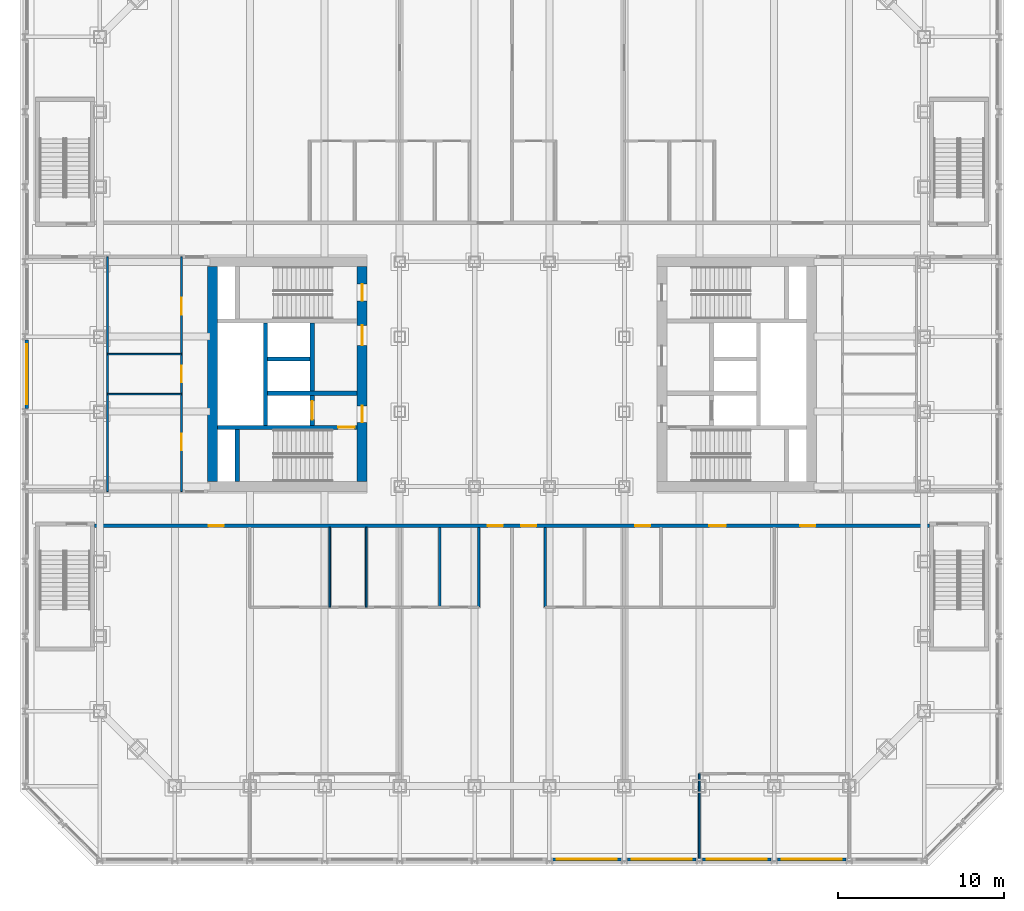
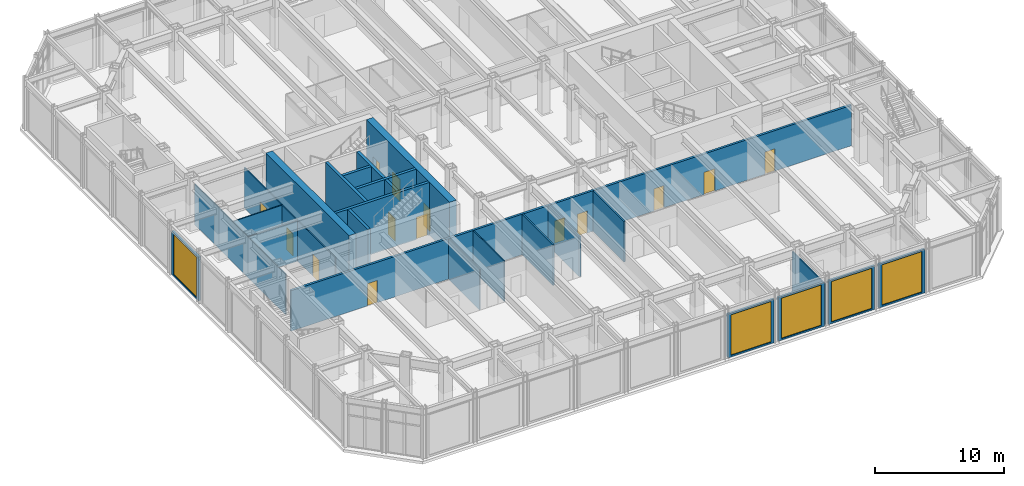
# One storey, part 11 of 19: 24 walls, 14 doors, 5 windows, 19 openings.
"""IFC4 building model written with IfcOpenShell, lengths in metres."""

from ifc_helpers import new_model, si_unit, direction, frame, frame_2d, origin, place, context, subcontext, project, spatial, rectangle, extrude, material, layer, layer_set, type_object, element, fill, save


model = new_model("IFC4")

# Units and contexts
model_context = context("Model", 3, precision=1e-05, world=origin(), true_north=direction((0.0, 1.0)))
body_context = subcontext(model_context, "Body", "Model", "MODEL_VIEW")
ifc_project = project(units=[si_unit("LENGTHUNIT", "METRE"), si_unit("AREAUNIT", "SQUARE_METRE"), si_unit("VOLUMEUNIT", "CUBIC_METRE"), si_unit("PLANEANGLEUNIT", "RADIAN"), si_unit("MASSUNIT", "GRAM", prefix="KILO")], contexts=[model_context])

# Site, building, storey
site_placement = place(None, origin())
site = spatial("IfcSite", under=ifc_project, at=site_placement, CompositionType="ELEMENT")
building_placement = place(site_placement, origin())
building = spatial("IfcBuilding", under=site, at=building_placement, Name="Msasa Ring Tower", CompositionType="ELEMENT")
storey_placement = place(building_placement, frame((0.0, 0.0, 11.0)))
storey = spatial("IfcBuildingStorey", under=building, at=storey_placement, Name="L02", CompositionType="ELEMENT", Elevation=11.0)

# Wall, openings, doors
ifc_material_1 = material(Name="Concrete C60/75", Category="concrete")
ifc_layer_1 = layer(ifc_material_1, 0.60009765625)
ifc_layer_set_1 = layer_set([ifc_layer_1], Name="CW1 CORE WALL 600")
wall_type_1 = type_object("IfcWallType", Name="CW1 CORE WALL 600", PredefinedType="SHEAR", material=ifc_layer_set_1)
wall_1_placement = place(storey_placement, frame((-9.0, -6.449951171875, 0.0), z_axis=(0.0, 0.0, 1.0), x_axis=(0.0, 1.0, 0.0)))
wall_1 = element("IfcWall", 1, at=wall_1_placement, inside=storey, type_object=wall_type_1, Name="W core wall W L02", PredefinedType="SHEAR", context=body_context, shape_type="SweptSolid", body=[
    extrude(rectangle(XDim=12.89990234375, YDim=0.60009765625, at=frame_2d((6.449951171875, 0.0))), origin(), (0.0, 0.0, 1.0), 5.0),
])
opening_1_placement = place(wall_1_placement, frame((3.550048828125, 0.0, 0.0)))
opening_1 = element("IfcOpeningElement", 2, at=opening_1_placement, cuts=wall_1, Name="Opening L02-030", PredefinedType="OPENING", context=body_context, shape_type="SweptSolid", body=[
    extrude(rectangle(XDim=1.0, YDim=2.10009765625, at=frame_2d((0.5, 1.050048828125))), frame((0.0, 0.31005859375, 0.0), z_axis=(0.0, -1.0, 0.0), x_axis=(1.0, 0.0, 0.0)), (0.0, 0.0, 1.0), 0.6201171875),
])
opening_2_placement = place(wall_1_placement, frame((8.175048828125, 0.0, 0.0)))
opening_2 = element("IfcOpeningElement", 3, at=opening_2_placement, cuts=wall_1, Name="Opening L02-026", PredefinedType="OPENING", context=body_context, shape_type="SweptSolid", body=[
    extrude(rectangle(XDim=1.199951171875, YDim=2.10009765625, at=frame_2d((0.60009765625, 1.050048828125))), frame((0.0, 0.31005859375, 0.0), z_axis=(0.0, -1.0, 0.0), x_axis=(1.0, 0.0, 0.0)), (0.0, 0.0, 1.0), 0.6201171875),
])
opening_3_placement = place(wall_1_placement, frame((10.85009765625, 0.0, 0.0)))
opening_3 = element("IfcOpeningElement", 4, at=opening_3_placement, cuts=wall_1, Name="Opening L02-022", PredefinedType="OPENING", context=body_context, shape_type="SweptSolid", body=[
    extrude(rectangle(XDim=1.0, YDim=2.10009765625, at=frame_2d((0.5, 1.050048828125))), frame((0.0, 0.31005859375, 0.0), z_axis=(0.0, -1.0, 0.0), x_axis=(1.0, 0.0, 0.0)), (0.0, 0.0, 1.0), 0.6201171875),
])
ifc_material_2 = material(Name="Timber door leaf in a steel frame", Category="steel")
door_type_1 = type_object("IfcDoorType", Name="D26 WIDE SERVICE ROOM DOOR 1200x2100", OperationType="SINGLE_SWING_LEFT", PredefinedType="DOOR", material=ifc_material_2)
door_1_placement = place(opening_2_placement, origin())
door_1 = element("IfcDoor", 5, at=door_1_placement, inside=storey, type_object=door_type_1, Name="Door L02-WCR", OperationType="SINGLE_SWING_RIGHT", OverallHeight=2.10009765625, OverallWidth=1.199951171875, PredefinedType="DOOR", context=body_context, shape_type="SweptSolid", body=[
    extrude(rectangle(XDim=1.199951171875, YDim=2.10009765625, at=frame_2d((0.60009765625, 1.050048828125))), frame((0.0, 0.02490234375, 0.0), z_axis=(0.0, -1.0, 0.0), x_axis=(1.0, 0.0, 0.0)), (0.0, 0.0, 1.0), 0.050048828125),
])
fill(opening_2, door_1)
ifc_material_3 = material(Name="Timber door leaf in a steel frame", Category="steel")
door_type_2 = type_object("IfcDoorType", Name="D4 LOBBY DOOR 1000x2100", OperationType="SINGLE_SWING_LEFT", PredefinedType="DOOR", material=ifc_material_3)
door_2_placement = place(opening_1_placement, origin())
door_2 = element("IfcDoor", 6, at=door_2_placement, inside=storey, type_object=door_type_2, Name="Door L02-WFFL", OperationType="SINGLE_SWING_LEFT", OverallHeight=2.10009765625, OverallWidth=1.0, PredefinedType="DOOR", context=body_context, shape_type="SweptSolid", body=[
    extrude(rectangle(XDim=1.0, YDim=2.10009765625, at=frame_2d((0.5, 1.050048828125))), frame((0.0, 0.02490234375, 0.0), z_axis=(0.0, -1.0, 0.0), x_axis=(1.0, 0.0, 0.0)), (0.0, 0.0, 1.0), 0.050048828125),
])
fill(opening_1, door_2)
ifc_material_4 = material(Name="Timber door leaf in a steel frame", Category="steel")
door_type_3 = type_object("IfcDoorType", Name="D6 STAIR DOOR 1000x2100", OperationType="SINGLE_SWING_LEFT", PredefinedType="DOOR", material=ifc_material_4)
door_3_placement = place(opening_3_placement, origin())
door_3 = element("IfcDoor", 7, at=door_3_placement, inside=storey, type_object=door_type_3, Name="Door L02-WSTB", OperationType="SINGLE_SWING_RIGHT", OverallHeight=2.10009765625, OverallWidth=1.0, PredefinedType="DOOR", context=body_context, shape_type="SweptSolid", body=[
    extrude(rectangle(XDim=1.0, YDim=2.10009765625, at=frame_2d((0.5, 1.050048828125))), frame((0.0, 0.02490234375, 0.0), z_axis=(0.0, -1.0, 0.0), x_axis=(1.0, 0.0, 0.0)), (0.0, 0.0, 1.0), 0.050048828125),
])
fill(opening_3, door_3)

# Wall
wall_2_placement = place(storey_placement, frame((-18.0, -6.449951171875, 0.0), z_axis=(0.0, 0.0, 1.0), x_axis=(0.0, 1.0, 0.0)))
element("IfcWall", 8, at=wall_2_placement, inside=storey, type_object=wall_type_1, Name="W core wall E L02", PredefinedType="SHEAR", context=body_context, shape_type="SweptSolid", body=[
    extrude(rectangle(XDim=12.89990234375, YDim=0.60009765625, at=frame_2d((6.449951171875, 0.0))), origin(), (0.0, 0.0, 1.0), 5.0),
])

# Wall, opening, door
ifc_material_5 = material(Name="Concrete C60/75", Category="concrete")
ifc_layer_2 = layer(ifc_material_5, 0.25)
ifc_layer_set_2 = layer_set([ifc_layer_2], Name="CW4 CORE INNER WALL 250")
wall_type_2 = type_object("IfcWallType", Name="CW4 CORE INNER WALL 250", PredefinedType="SHEAR", material=ifc_layer_set_2)
wall_3_placement = place(storey_placement, frame((-9.300048828125, -3.199951171875, 0.0), z_axis=(0.0, 0.0, 1.0), x_axis=(-1.0, 0.0, 0.0)))
wall_3 = element("IfcWall", 9, at=wall_3_placement, inside=storey, type_object=wall_type_2, Name="W core wall STAIRA L02", PredefinedType="SHEAR", context=body_context, shape_type="SweptSolid", body=[
    extrude(rectangle(XDim=8.39990234375, YDim=0.25, at=frame_2d((4.199951171875, 0.0))), origin(), (0.0, 0.0, 1.0), 5.0),
])
opening_4_placement = place(wall_3_placement, frame((0.14990234375, 0.0, 0.0)))
opening_4 = element("IfcOpeningElement", 10, at=opening_4_placement, cuts=wall_3, Name="Opening L02-032", PredefinedType="OPENING", context=body_context, shape_type="SweptSolid", body=[
    extrude(rectangle(XDim=1.0, YDim=2.10009765625, at=frame_2d((0.5, 1.050048828125))), frame((0.0, 0.135009765625, 0.0), z_axis=(0.0, -1.0, 0.0), x_axis=(1.0, 0.0, 0.0)), (0.0, 0.0, 1.0), 0.27001953125),
])
door_4_placement = place(opening_4_placement, origin())
door_4 = element("IfcDoor", 11, at=door_4_placement, inside=storey, type_object=door_type_3, Name="Door L02-WSTA", OperationType="SINGLE_SWING_LEFT", OverallHeight=2.10009765625, OverallWidth=1.0, PredefinedType="DOOR", context=body_context, shape_type="SweptSolid", body=[
    extrude(rectangle(XDim=1.0, YDim=2.10009765625, at=frame_2d((0.5, 1.050048828125))), frame((0.0, 0.02490234375, 0.0), z_axis=(0.0, -1.0, 0.0), x_axis=(1.0, 0.0, 0.0)), (0.0, 0.0, 1.0), 0.050048828125),
])
fill(opening_4, door_4)

# Walls
wall_4_placement = place(storey_placement, frame((-16.5, -6.449951171875, 0.0), z_axis=(0.0, 0.0, 1.0), x_axis=(0.0, 1.0, 0.0)))
element("IfcWall", 12, at=wall_4_placement, inside=storey, type_object=wall_type_2, Name="W core wall RISERA L02", PredefinedType="SHEAR", context=body_context, shape_type="SweptSolid", body=[
    extrude(rectangle(XDim=3.125, YDim=0.25, at=frame_2d((1.5625, 0.0))), origin(), (0.0, 0.0, 1.0), 5.0),
])
wall_5_placement = place(storey_placement, frame((-9.300048828125, -1.14990234375, 0.0), z_axis=(0.0, 0.0, 1.0), x_axis=(-1.0, 0.0, 0.0)))
element("IfcWall", 13, at=wall_5_placement, inside=storey, type_object=wall_type_2, Name="W core wall FFL L02", PredefinedType="SHEAR", context=body_context, shape_type="SweptSolid", body=[
    extrude(rectangle(XDim=5.375, YDim=0.25, at=frame_2d((2.6875, 0.0))), origin(), (0.0, 0.0, 1.0), 5.0),
])

# Wall, opening, door
wall_6_placement = place(storey_placement, frame((-12.0, -3.074951171875, 0.0), z_axis=(0.0, 0.0, 1.0), x_axis=(0.0, 1.0, 0.0)))
wall_6 = element("IfcWall", 14, at=wall_6_placement, inside=storey, type_object=wall_type_2, Name="W core wall LOBBY L02", PredefinedType="SHEAR", context=body_context, shape_type="SweptSolid", body=[
    extrude(rectangle(XDim=6.14990234375, YDim=0.25, at=frame_2d((3.074951171875, 0.0))), origin(), (0.0, 0.0, 1.0), 5.0),
])
opening_5_placement = place(wall_6_placement, frame((0.35009765625, 0.0, 0.0)))
opening_5 = element("IfcOpeningElement", 15, at=opening_5_placement, cuts=wall_6, Name="Opening LD1", PredefinedType="OPENING", context=body_context, shape_type="SweptSolid", body=[
    extrude(rectangle(XDim=1.10009765625, YDim=2.10009765625, at=frame_2d((0.550048828125, 1.050048828125))), frame((0.0, 0.135009765625, 0.0), z_axis=(0.0, -1.0, 0.0), x_axis=(1.0, 0.0, 0.0)), (0.0, 0.0, 1.0), 0.27001953125),
])
ifc_material_6 = material(Name="Stainless steel lift landing door", Category="steel")
door_type_4 = type_object("IfcDoorType", Name="LD1 LIFT LANDING DOOR 1100x2100", OperationType="DOUBLE_DOOR_SLIDING", PredefinedType="DOOR", material=ifc_material_6)
door_5_placement = place(opening_5_placement, origin())
door_5 = element("IfcDoor", 16, at=door_5_placement, inside=storey, type_object=door_type_4, Name="Lift landing door FL-W L02", OperationType="DOUBLE_DOOR_SLIDING", OverallHeight=2.10009765625, OverallWidth=1.10009765625, PredefinedType="DOOR", context=body_context, shape_type="SweptSolid", body=[
    extrude(rectangle(XDim=1.10009765625, YDim=2.10009765625, at=frame_2d((0.550048828125, 1.050048828125))), frame((0.0, 0.02490234375, 0.0), z_axis=(0.0, -1.0, 0.0), x_axis=(1.0, 0.0, 0.0)), (0.0, 0.0, 1.0), 0.050048828125),
])
fill(opening_5, door_5)

# Walls
wall_7_placement = place(storey_placement, frame((-14.800048828125, -3.074951171875, 0.0), z_axis=(0.0, 0.0, 1.0), x_axis=(0.0, 1.0, 0.0)))
element("IfcWall", 17, at=wall_7_placement, inside=storey, type_object=wall_type_2, Name="W core wall SHAFT L02", PredefinedType="SHEAR", context=body_context, shape_type="SweptSolid", body=[
    extrude(rectangle(XDim=6.14990234375, YDim=0.25, at=frame_2d((3.074951171875, 0.0))), origin(), (0.0, 0.0, 1.0), 5.0),
])
wall_8_placement = place(storey_placement, frame((-12.125, 0.89990234375, 0.0), z_axis=(0.0, 0.0, 1.0), x_axis=(-1.0, 0.0, 0.0)))
element("IfcWall", 18, at=wall_8_placement, inside=storey, type_object=wall_type_2, Name="W core wall LIFT1 L02", PredefinedType="SHEAR", context=body_context, shape_type="SweptSolid", body=[
    extrude(rectangle(XDim=2.550048828125, YDim=0.25, at=frame_2d((1.27490234375, 0.0))), origin(), (0.0, 0.0, 1.0), 5.0),
])

# Wall, opening, window
ifc_material_7 = material(Name="Terracotta rainscreen on blockwork", Category="masonry")
ifc_layer_3 = layer(ifc_material_7, 0.199951171875)
ifc_layer_set_3 = layer_set([ifc_layer_3], Name="FW2 TERRACOTTA PODIUM BAY WALL 200")
wall_type_3 = type_object("IfcWallType", Name="FW2 TERRACOTTA PODIUM BAY WALL 200", PredefinedType="SOLIDWALL", material=ifc_layer_set_3)
wall_9_placement = place(storey_placement, frame((2.437744140625, -29.14990234375, 0.0), z_axis=(0.0, 0.0, 1.0), x_axis=(1.0, 0.0, 0.0)))
wall_9 = element("IfcWall", 19, at=wall_9_placement, inside=storey, type_object=wall_type_3, Name="Podium bay wall S L02 06", PredefinedType="SOLIDWALL", context=body_context, shape_type="SweptSolid", body=[
    extrude(rectangle(XDim=4.124755859375, YDim=0.199951171875, at=frame_2d((2.0625, 0.0))), origin(), (0.0, 0.0, 1.0), 4.1328125),
])
opening_6_placement = place(wall_9_placement, frame((0.26220703125, 0.0, 0.14990234375)))
opening_6 = element("IfcOpeningElement", 20, at=opening_6_placement, cuts=wall_9, Name="Opening SF3", PredefinedType="OPENING", context=body_context, shape_type="SweptSolid", body=[
    extrude(rectangle(XDim=3.60009765625, YDim=3.8330078125, at=frame_2d((1.800048828125, 1.91650390625))), frame((0.0, 0.10986328125, 0.0), z_axis=(0.0, -1.0, 0.0), x_axis=(1.0, 0.0, 0.0)), (0.0, 0.0, 1.0), 0.219970703125),
])
ifc_material_8 = material(Name="Aluminium frame with clear glass", Category="aluminium")
window_type = type_object("IfcWindowType", Name="SF3 SHOPFRONT GLAZING 3600x3833", PartitioningType="SINGLE_PANEL", PredefinedType="WINDOW", material=ifc_material_8)
window_1_placement = place(opening_6_placement, origin())
window_1 = element("IfcWindow", 21, at=window_1_placement, inside=storey, type_object=window_type, Name="Shopfront glazing S L02 06", OverallHeight=3.8330078125, OverallWidth=3.60009765625, PartitioningType="SINGLE_PANEL", PredefinedType="WINDOW", context=body_context, shape_type="SweptSolid", body=[
    extrude(rectangle(XDim=3.60009765625, YDim=3.8330078125, at=frame_2d((1.800048828125, 1.91650390625))), frame((0.0, 0.030029296875, 0.0), z_axis=(0.0, -1.0, 0.0), x_axis=(1.0, 0.0, 0.0)), (0.0, 0.0, 1.0), 0.06005859375),
])
fill(opening_6, window_1)

wall_10_placement = place(storey_placement, frame((6.9375, -29.14990234375, 0.0), z_axis=(0.0, 0.0, 1.0), x_axis=(1.0, 0.0, 0.0)))
wall_10 = element("IfcWall", 22, at=wall_10_placement, inside=storey, type_object=wall_type_3, Name="Podium bay wall S L02 07", PredefinedType="SOLIDWALL", context=body_context, shape_type="SweptSolid", body=[
    extrude(rectangle(XDim=4.125, YDim=0.199951171875, at=frame_2d((2.0625, 0.0))), origin(), (0.0, 0.0, 1.0), 4.1328125),
])
opening_7_placement = place(wall_10_placement, frame((0.262451171875, 0.0, 0.14990234375)))
opening_7 = element("IfcOpeningElement", 23, at=opening_7_placement, cuts=wall_10, Name="Opening SF3", PredefinedType="OPENING", context=body_context, shape_type="SweptSolid", body=[
    extrude(rectangle(XDim=3.60009765625, YDim=3.8330078125, at=frame_2d((1.800048828125, 1.91650390625))), frame((0.0, 0.10986328125, 0.0), z_axis=(0.0, -1.0, 0.0), x_axis=(1.0, 0.0, 0.0)), (0.0, 0.0, 1.0), 0.219970703125),
])
window_2_placement = place(opening_7_placement, origin())
window_2 = element("IfcWindow", 24, at=window_2_placement, inside=storey, type_object=window_type, Name="Shopfront glazing S L02 07", OverallHeight=3.8330078125, OverallWidth=3.60009765625, PartitioningType="SINGLE_PANEL", PredefinedType="WINDOW", context=body_context, shape_type="SweptSolid", body=[
    extrude(rectangle(XDim=3.60009765625, YDim=3.8330078125, at=frame_2d((1.800048828125, 1.91650390625))), frame((0.0, 0.030029296875, 0.0), z_axis=(0.0, -1.0, 0.0), x_axis=(1.0, 0.0, 0.0)), (0.0, 0.0, 1.0), 0.06005859375),
])
fill(opening_7, window_2)

wall_11_placement = place(storey_placement, frame((11.4375, -29.14990234375, 0.0), z_axis=(0.0, 0.0, 1.0), x_axis=(1.0, 0.0, 0.0)))
wall_11 = element("IfcWall", 25, at=wall_11_placement, inside=storey, type_object=wall_type_3, Name="Podium bay wall S L02 08", PredefinedType="SOLIDWALL", context=body_context, shape_type="SweptSolid", body=[
    extrude(rectangle(XDim=4.125, YDim=0.199951171875, at=frame_2d((2.0625, 0.0))), origin(), (0.0, 0.0, 1.0), 4.1328125),
])
opening_8_placement = place(wall_11_placement, frame((0.262451171875, 0.0, 0.14990234375)))
opening_8 = element("IfcOpeningElement", 26, at=opening_8_placement, cuts=wall_11, Name="Opening SF3", PredefinedType="OPENING", context=body_context, shape_type="SweptSolid", body=[
    extrude(rectangle(XDim=3.60009765625, YDim=3.8330078125, at=frame_2d((1.800048828125, 1.91650390625))), frame((0.0, 0.10986328125, 0.0), z_axis=(0.0, -1.0, 0.0), x_axis=(1.0, 0.0, 0.0)), (0.0, 0.0, 1.0), 0.219970703125),
])
window_3_placement = place(opening_8_placement, origin())
window_3 = element("IfcWindow", 27, at=window_3_placement, inside=storey, type_object=window_type, Name="Shopfront glazing S L02 08", OverallHeight=3.8330078125, OverallWidth=3.60009765625, PartitioningType="SINGLE_PANEL", PredefinedType="WINDOW", context=body_context, shape_type="SweptSolid", body=[
    extrude(rectangle(XDim=3.60009765625, YDim=3.8330078125, at=frame_2d((1.800048828125, 1.91650390625))), frame((0.0, 0.030029296875, 0.0), z_axis=(0.0, -1.0, 0.0), x_axis=(1.0, 0.0, 0.0)), (0.0, 0.0, 1.0), 0.06005859375),
])
fill(opening_8, window_3)

wall_12_placement = place(storey_placement, frame((15.9375, -29.14990234375, 0.0), z_axis=(0.0, 0.0, 1.0), x_axis=(1.0, 0.0, 0.0)))
wall_12 = element("IfcWall", 28, at=wall_12_placement, inside=storey, type_object=wall_type_3, Name="Podium bay wall S L02 09", PredefinedType="SOLIDWALL", context=body_context, shape_type="SweptSolid", body=[
    extrude(rectangle(XDim=4.124755859375, YDim=0.199951171875, at=frame_2d((2.0625, 0.0))), origin(), (0.0, 0.0, 1.0), 4.1328125),
])
opening_9_placement = place(wall_12_placement, frame((0.262451171875, 0.0, 0.14990234375)))
opening_9 = element("IfcOpeningElement", 29, at=opening_9_placement, cuts=wall_12, Name="Opening SF3", PredefinedType="OPENING", context=body_context, shape_type="SweptSolid", body=[
    extrude(rectangle(XDim=3.60009765625, YDim=3.8330078125, at=frame_2d((1.800048828125, 1.91650390625))), frame((0.0, 0.10986328125, 0.0), z_axis=(0.0, -1.0, 0.0), x_axis=(1.0, 0.0, 0.0)), (0.0, 0.0, 1.0), 0.219970703125),
])
window_4_placement = place(opening_9_placement, origin())
window_4 = element("IfcWindow", 30, at=window_4_placement, inside=storey, type_object=window_type, Name="Shopfront glazing S L02 09", OverallHeight=3.8330078125, OverallWidth=3.60009765625, PartitioningType="SINGLE_PANEL", PredefinedType="WINDOW", context=body_context, shape_type="SweptSolid", body=[
    extrude(rectangle(XDim=3.60009765625, YDim=3.8330078125, at=frame_2d((1.800048828125, 1.91650390625))), frame((0.0, 0.030029296875, 0.0), z_axis=(0.0, -1.0, 0.0), x_axis=(1.0, 0.0, 0.0)), (0.0, 0.0, 1.0), 0.06005859375),
])
fill(opening_9, window_4)

wall_13_placement = place(storey_placement, frame((-29.14990234375, -2.062255859375, 0.0), z_axis=(0.0, 0.0, 1.0), x_axis=(0.0, 1.0, 0.0)))
wall_13 = element("IfcWall", 31, at=wall_13_placement, inside=storey, type_object=wall_type_3, Name="Podium bay wall W L02 44", PredefinedType="SOLIDWALL", context=body_context, shape_type="SweptSolid", body=[
    extrude(rectangle(XDim=4.12451171875, YDim=0.199951171875, at=frame_2d((2.062255859375, 0.0))), origin(), (0.0, 0.0, 1.0), 4.1328125),
])
opening_10_placement = place(wall_13_placement, frame((0.26220703125, 0.0, 0.14990234375)))
opening_10 = element("IfcOpeningElement", 32, at=opening_10_placement, cuts=wall_13, Name="Opening SF3", PredefinedType="OPENING", context=body_context, shape_type="SweptSolid", body=[
    extrude(rectangle(XDim=3.60009765625, YDim=3.8330078125, at=frame_2d((1.800048828125, 1.91650390625))), frame((0.0, 0.10986328125, 0.0), z_axis=(0.0, -1.0, 0.0), x_axis=(1.0, 0.0, 0.0)), (0.0, 0.0, 1.0), 0.219970703125),
])
window_5_placement = place(opening_10_placement, origin())
window_5 = element("IfcWindow", 33, at=window_5_placement, inside=storey, type_object=window_type, Name="Shopfront glazing W L02 44", OverallHeight=3.8330078125, OverallWidth=3.60009765625, PartitioningType="SINGLE_PANEL", PredefinedType="WINDOW", context=body_context, shape_type="SweptSolid", body=[
    extrude(rectangle(XDim=3.60009765625, YDim=3.8330078125, at=frame_2d((1.800048828125, 1.91650390625))), frame((0.0, 0.030029296875, 0.0), z_axis=(0.0, -1.0, 0.0), x_axis=(1.0, 0.0, 0.0)), (0.0, 0.0, 1.0), 0.06005859375),
])
fill(opening_10, window_5)

# Wall, openings, doors
ifc_material_9 = material(Name="Concrete blockwork", Category="masonry")
ifc_layer_4 = layer(ifc_material_9, 0.199951171875)
ifc_layer_set_4 = layer_set([ifc_layer_4], Name="PT1 CORRIDOR WALL 200")
wall_type_4 = type_object("IfcWallType", Name="PT1 CORRIDOR WALL 200", PredefinedType="PARTITIONING", material=ifc_layer_set_4)
wall_14_placement = place(storey_placement, frame((-25.074951171875, -9.10009765625, 0.0), z_axis=(0.0, 0.0, 1.0), x_axis=(1.0, 0.0, 0.0)))
wall_14 = element("IfcWall", 34, at=wall_14_placement, inside=storey, type_object=wall_type_4, Name="Corridor wall L02-CORRS1", PredefinedType="PARTITIONING", context=body_context, shape_type="SweptSolid", body=[
    extrude(rectangle(XDim=50.14990234375, YDim=0.199951171875, at=frame_2d((25.074951171875, 0.0))), origin(), (0.0, 0.0, 1.0), 3.8291015625),
])
opening_11_placement = place(wall_14_placement, frame((6.85009765625, 0.0, 0.0)))
opening_11 = element("IfcOpeningElement", 35, at=opening_11_placement, cuts=wall_14, Name="Opening L02-040", PredefinedType="OPENING", context=body_context, shape_type="SweptSolid", body=[
    extrude(rectangle(XDim=0.89990234375, YDim=2.10009765625, at=frame_2d((0.449951171875, 1.050048828125))), frame((0.0, 0.10986328125, 0.0), z_axis=(0.0, -1.0, 0.0), x_axis=(1.0, 0.0, 0.0)), (0.0, 0.0, 1.0), 0.219970703125),
])
opening_12_placement = place(wall_14_placement, frame((23.625, 0.0, 0.0)))
opening_12 = element("IfcOpeningElement", 36, at=opening_12_placement, cuts=wall_14, Name="Opening L02-041", PredefinedType="OPENING", context=body_context, shape_type="SweptSolid", body=[
    extrude(rectangle(XDim=0.89990234375, YDim=2.10009765625, at=frame_2d((0.449951171875, 1.050048828125))), frame((0.0, 0.10986328125, 0.0), z_axis=(0.0, -1.0, 0.0), x_axis=(1.0, 0.0, 0.0)), (0.0, 0.0, 1.0), 0.219970703125),
])
opening_13_placement = place(wall_14_placement, frame((25.625, 0.0, 0.0)))
opening_13 = element("IfcOpeningElement", 37, at=opening_13_placement, cuts=wall_14, Name="Opening L02-042", PredefinedType="OPENING", context=body_context, shape_type="SweptSolid", body=[
    extrude(rectangle(XDim=0.89990234375, YDim=2.10009765625, at=frame_2d((0.449951171875, 1.050048828125))), frame((0.0, 0.10986328125, 0.0), z_axis=(0.0, -1.0, 0.0), x_axis=(1.0, 0.0, 0.0)), (0.0, 0.0, 1.0), 0.219970703125),
])
opening_14_placement = place(wall_14_placement, frame((32.47509765625, 0.0, 0.0)))
opening_14 = element("IfcOpeningElement", 38, at=opening_14_placement, cuts=wall_14, Name="Opening L02-043", PredefinedType="OPENING", context=body_context, shape_type="SweptSolid", body=[
    extrude(rectangle(XDim=0.89990234375, YDim=2.10009765625, at=frame_2d((0.449951171875, 1.050048828125))), frame((0.0, 0.10986328125, 0.0), z_axis=(0.0, -1.0, 0.0), x_axis=(1.0, 0.0, 0.0)), (0.0, 0.0, 1.0), 0.219970703125),
])
opening_15_placement = place(wall_14_placement, frame((36.925048828125, 0.0, 0.0)))
opening_15 = element("IfcOpeningElement", 39, at=opening_15_placement, cuts=wall_14, Name="Opening L02-044", PredefinedType="OPENING", context=body_context, shape_type="SweptSolid", body=[
    extrude(rectangle(XDim=1.0, YDim=2.10009765625, at=frame_2d((0.5, 1.050048828125))), frame((0.0, 0.10986328125, 0.0), z_axis=(0.0, -1.0, 0.0), x_axis=(1.0, 0.0, 0.0)), (0.0, 0.0, 1.0), 0.219970703125),
])
opening_16_placement = place(wall_14_placement, frame((42.39990234375, 0.0, 0.0)))
opening_16 = element("IfcOpeningElement", 40, at=opening_16_placement, cuts=wall_14, Name="Opening L02-045", PredefinedType="OPENING", context=body_context, shape_type="SweptSolid", body=[
    extrude(rectangle(XDim=0.89990234375, YDim=2.10009765625, at=frame_2d((0.449951171875, 1.050048828125))), frame((0.0, 0.10986328125, 0.0), z_axis=(0.0, -1.0, 0.0), x_axis=(1.0, 0.0, 0.0)), (0.0, 0.0, 1.0), 0.219970703125),
])
ifc_material_10 = material(Name="Timber door leaf in a steel frame", Category="steel")
door_type_5 = type_object("IfcDoorType", Name="D1 SINGLE DOOR TO CORRIDOR 900x2100", OperationType="SINGLE_SWING_LEFT", PredefinedType="DOOR", material=ifc_material_10)
door_6_placement = place(opening_11_placement, origin())
door_6 = element("IfcDoor", 41, at=door_6_placement, inside=storey, type_object=door_type_5, Name="Door L02-PDS0", OperationType="SINGLE_SWING_LEFT", OverallHeight=2.10009765625, OverallWidth=0.89990234375, PredefinedType="DOOR", context=body_context, shape_type="SweptSolid", body=[
    extrude(rectangle(XDim=0.89990234375, YDim=2.10009765625, at=frame_2d((0.449951171875, 1.050048828125))), frame((0.0, 0.02490234375, 0.0), z_axis=(0.0, -1.0, 0.0), x_axis=(1.0, 0.0, 0.0)), (0.0, 0.0, 1.0), 0.050048828125),
])
fill(opening_11, door_6)
door_7_placement = place(opening_12_placement, origin())
door_7 = element("IfcDoor", 42, at=door_7_placement, inside=storey, type_object=door_type_5, Name="Door L02-PDS1", OperationType="SINGLE_SWING_LEFT", OverallHeight=2.10009765625, OverallWidth=0.89990234375, PredefinedType="DOOR", context=body_context, shape_type="SweptSolid", body=[
    extrude(rectangle(XDim=0.89990234375, YDim=2.10009765625, at=frame_2d((0.449951171875, 1.050048828125))), frame((0.0, 0.02490234375, 0.0), z_axis=(0.0, -1.0, 0.0), x_axis=(1.0, 0.0, 0.0)), (0.0, 0.0, 1.0), 0.050048828125),
])
fill(opening_12, door_7)
door_8_placement = place(opening_13_placement, origin())
door_8 = element("IfcDoor", 43, at=door_8_placement, inside=storey, type_object=door_type_5, Name="Door L02-PDS2", OperationType="SINGLE_SWING_RIGHT", OverallHeight=2.10009765625, OverallWidth=0.89990234375, PredefinedType="DOOR", context=body_context, shape_type="SweptSolid", body=[
    extrude(rectangle(XDim=0.89990234375, YDim=2.10009765625, at=frame_2d((0.449951171875, 1.050048828125))), frame((0.0, 0.02490234375, 0.0), z_axis=(0.0, -1.0, 0.0), x_axis=(1.0, 0.0, 0.0)), (0.0, 0.0, 1.0), 0.050048828125),
])
fill(opening_13, door_8)
door_9_placement = place(opening_14_placement, origin())
door_9 = element("IfcDoor", 44, at=door_9_placement, inside=storey, type_object=door_type_5, Name="Door L02-PDS3B0", OperationType="SINGLE_SWING_RIGHT", OverallHeight=2.10009765625, OverallWidth=0.89990234375, PredefinedType="DOOR", context=body_context, shape_type="SweptSolid", body=[
    extrude(rectangle(XDim=0.89990234375, YDim=2.10009765625, at=frame_2d((0.449951171875, 1.050048828125))), frame((0.0, 0.02490234375, 0.0), z_axis=(0.0, -1.0, 0.0), x_axis=(1.0, 0.0, 0.0)), (0.0, 0.0, 1.0), 0.050048828125),
])
fill(opening_14, door_9)
door_10_placement = place(opening_16_placement, origin())
door_10 = element("IfcDoor", 45, at=door_10_placement, inside=storey, type_object=door_type_5, Name="Door L02-PDS3", OperationType="SINGLE_SWING_RIGHT", OverallHeight=2.10009765625, OverallWidth=0.89990234375, PredefinedType="DOOR", context=body_context, shape_type="SweptSolid", body=[
    extrude(rectangle(XDim=0.89990234375, YDim=2.10009765625, at=frame_2d((0.449951171875, 1.050048828125))), frame((0.0, 0.02490234375, 0.0), z_axis=(0.0, -1.0, 0.0), x_axis=(1.0, 0.0, 0.0)), (0.0, 0.0, 1.0), 0.050048828125),
])
fill(opening_16, door_10)
ifc_material_11 = material(Name="Timber door leaf in a steel frame", Category="steel")
door_type_6 = type_object("IfcDoorType", Name="D10 STORE DOOR 1000x2100", OperationType="SINGLE_SWING_LEFT", PredefinedType="DOOR", material=ifc_material_11)
door_11_placement = place(opening_15_placement, origin())
door_11 = element("IfcDoor", 46, at=door_11_placement, inside=storey, type_object=door_type_6, Name="Door L02-PDS3B1", OperationType="SINGLE_SWING_RIGHT", OverallHeight=2.10009765625, OverallWidth=1.0, PredefinedType="DOOR", context=body_context, shape_type="SweptSolid", body=[
    extrude(rectangle(XDim=1.0, YDim=2.10009765625, at=frame_2d((0.5, 1.050048828125))), frame((0.0, 0.02490234375, 0.0), z_axis=(0.0, -1.0, 0.0), x_axis=(1.0, 0.0, 0.0)), (0.0, 0.0, 1.0), 0.050048828125),
])
fill(opening_15, door_11)

# Walls
ifc_material_12 = material(Name="Gypsum board on steel studs", Category="steel")
ifc_layer_5 = layer(ifc_material_12, 0.10009765625)
ifc_layer_set_5 = layer_set([ifc_layer_5], Name="PT2 STUD PARTITION 100")
wall_type_5 = type_object("IfcWallType", Name="PT2 STUD PARTITION 100", PredefinedType="PARTITIONING", material=ifc_layer_set_5)
for number, where, z_axis, x_axis, name in (
    (47, (-10.949951171875, -14.0, 0.0), (0.0, 0.0, 1.0), (0.0, 1.0, 0.0), "Partition L02-PDS0BX-10.95"),
    (48, (-8.75, -14.0, 0.0), (0.0, 0.0, 1.0), (0.0, 1.0, 0.0), "Partition L02-PDS0BX-8.75"),
):
    element("IfcWall", number, at=place(storey_placement, frame(where, z_axis=z_axis, x_axis=x_axis)), inside=storey, type_object=wall_type_5, Name=name, PredefinedType="PARTITIONING", context=body_context, shape_type="SweptSolid", body=[
        extrude(rectangle(XDim=4.800048828125, YDim=0.10009765625, at=frame_2d((2.39990234375, 0.0))), origin(), (0.0, 0.0, 1.0), 3.8291015625),
    ])
wall_15_placement = place(storey_placement, frame((11.25, -29.0888671875, 0.0), z_axis=(0.0, 0.0, 1.0), x_axis=(0.0, 1.0, 0.0)))
element("IfcWall", 49, at=wall_15_placement, inside=storey, type_object=wall_type_5, Name="Partition L02-PDS3FX+11.25", PredefinedType="PARTITIONING", context=body_context, shape_type="SweptSolid", body=[
    extrude(rectangle(XDim=5.0888671875, YDim=0.10009765625, at=frame_2d((2.54443359375, 0.0))), origin(), (0.0, 0.0, 1.0), 3.8291015625),
])

# Wall, openings, doors
wall_16_placement = place(storey_placement, frame((-19.85009765625, -7.050048828125, 0.0), z_axis=(0.0, 0.0, 1.0), x_axis=(0.0, 1.0, 0.0)))
wall_16 = element("IfcWall", 50, at=wall_16_placement, inside=storey, type_object=wall_type_5, Name="Partition L02-WCWL", PredefinedType="PARTITIONING", context=body_context, shape_type="SweptSolid", body=[
    extrude(rectangle(XDim=14.10009765625, YDim=0.10009765625, at=frame_2d((7.050048828125, 0.0))), origin(), (0.0, 0.0, 1.0), 3.8291015625),
])
opening_17_placement = place(wall_16_placement, frame((2.47509765625, 0.0, 0.0)))
opening_17 = element("IfcOpeningElement", 51, at=opening_17_placement, cuts=wall_16, Name="Opening L02-034", PredefinedType="OPENING", context=body_context, shape_type="SweptSolid", body=[
    extrude(rectangle(XDim=1.0, YDim=2.10009765625, at=frame_2d((0.5, 1.050048828125))), frame((0.0, 0.06005859375, 0.0), z_axis=(0.0, -1.0, 0.0), x_axis=(1.0, 0.0, 0.0)), (0.0, 0.0, 1.0), 0.1201171875),
])
opening_18_placement = place(wall_16_placement, frame((6.550048828125, 0.0, 0.0)))
opening_18 = element("IfcOpeningElement", 52, at=opening_18_placement, cuts=wall_16, Name="Opening L02-028", PredefinedType="OPENING", context=body_context, shape_type="SweptSolid", body=[
    extrude(rectangle(XDim=1.0, YDim=2.10009765625, at=frame_2d((0.5, 1.050048828125))), frame((0.0, 0.06005859375, 0.0), z_axis=(0.0, -1.0, 0.0), x_axis=(1.0, 0.0, 0.0)), (0.0, 0.0, 1.0), 0.1201171875),
])
opening_19_placement = place(wall_16_placement, frame((10.625, 0.0, 0.0)))
opening_19 = element("IfcOpeningElement", 53, at=opening_19_placement, cuts=wall_16, Name="Opening L02-024", PredefinedType="OPENING", context=body_context, shape_type="SweptSolid", body=[
    extrude(rectangle(XDim=1.0, YDim=2.10009765625, at=frame_2d((0.5, 1.050048828125))), frame((0.0, 0.06005859375, 0.0), z_axis=(0.0, -1.0, 0.0), x_axis=(1.0, 0.0, 0.0)), (0.0, 0.0, 1.0), 0.1201171875),
])
ifc_material_13 = material(Name="Timber door leaf in a steel frame", Category="steel")
door_type_7 = type_object("IfcDoorType", Name="D12 WC DOOR 1000x2100", OperationType="SINGLE_SWING_LEFT", PredefinedType="DOOR", material=ifc_material_13)
door_12_placement = place(opening_17_placement, origin())
door_12 = element("IfcDoor", 54, at=door_12_placement, inside=storey, type_object=door_type_7, Name="Door L02-WCW0", OperationType="SINGLE_SWING_LEFT", OverallHeight=2.10009765625, OverallWidth=1.0, PredefinedType="DOOR", context=body_context, shape_type="SweptSolid", body=[
    extrude(rectangle(XDim=1.0, YDim=2.10009765625, at=frame_2d((0.5, 1.050048828125))), frame((0.0, 0.02490234375, 0.0), z_axis=(0.0, -1.0, 0.0), x_axis=(1.0, 0.0, 0.0)), (0.0, 0.0, 1.0), 0.050048828125),
])
fill(opening_17, door_12)
door_13_placement = place(opening_18_placement, origin())
door_13 = element("IfcDoor", 55, at=door_13_placement, inside=storey, type_object=door_type_7, Name="Door L02-WCW1", OperationType="SINGLE_SWING_LEFT", OverallHeight=2.10009765625, OverallWidth=1.0, PredefinedType="DOOR", context=body_context, shape_type="SweptSolid", body=[
    extrude(rectangle(XDim=1.0, YDim=2.10009765625, at=frame_2d((0.5, 1.050048828125))), frame((0.0, 0.02490234375, 0.0), z_axis=(0.0, -1.0, 0.0), x_axis=(1.0, 0.0, 0.0)), (0.0, 0.0, 1.0), 0.050048828125),
])
fill(opening_18, door_13)
door_14_placement = place(opening_19_placement, origin())
door_14 = element("IfcDoor", 56, at=door_14_placement, inside=storey, type_object=door_type_7, Name="Door L02-WCW2", OperationType="SINGLE_SWING_RIGHT", OverallHeight=2.10009765625, OverallWidth=1.0, PredefinedType="DOOR", context=body_context, shape_type="SweptSolid", body=[
    extrude(rectangle(XDim=1.0, YDim=2.10009765625, at=frame_2d((0.5, 1.050048828125))), frame((0.0, 0.02490234375, 0.0), z_axis=(0.0, -1.0, 0.0), x_axis=(1.0, 0.0, 0.0)), (0.0, 0.0, 1.0), 0.050048828125),
])
fill(opening_19, door_14)

# Walls
for number, where, z_axis, x_axis, name in (
    (57, (-24.294921875, -1.199951171875, 0.0), (0.0, 0.0, 1.0), (1.0, 0.0, 0.0), "Partition L02-WCWX0"),
    (58, (-24.294921875, 1.199951171875, 0.0), (0.0, 0.0, 1.0), (1.0, 0.0, 0.0), "Partition L02-WCWX1"),
):
    element("IfcWall", number, at=place(storey_placement, frame(where, z_axis=z_axis, x_axis=x_axis)), inside=storey, type_object=wall_type_5, Name=name, PredefinedType="PARTITIONING", context=body_context, shape_type="SweptSolid", body=[
        extrude(rectangle(XDim=4.44482421875, YDim=0.10009765625, at=frame_2d((2.222412109375, 0.0))), origin(), (0.0, 0.0, 1.0), 3.8291015625),
    ])
wall_17_placement = place(storey_placement, frame((-24.294921875, -7.050048828125, 0.0), z_axis=(0.0, 0.0, 1.0), x_axis=(0.0, 1.0, 0.0)))
element("IfcWall", 59, at=wall_17_placement, inside=storey, type_object=wall_type_5, Name="Partition L02-WCWC", PredefinedType="PARTITIONING", context=body_context, shape_type="SweptSolid", body=[
    extrude(rectangle(XDim=14.10009765625, YDim=0.10009765625, at=frame_2d((7.050048828125, 0.0))), origin(), (0.0, 0.0, 1.0), 3.8291015625),
])
ifc_material_14 = material(Name="Moisture-resistant board on steel studs with a concealed cistern and pipe void, tiled", Category="steel")
ifc_layer_6 = layer(ifc_material_14, 0.14990234375)
ifc_layer_set_6 = layer_set([ifc_layer_6], Name="PT4 BATHROOM WET WALL 150")
wall_type_6 = type_object("IfcWallType", Name="PT4 BATHROOM WET WALL 150", PredefinedType="PARTITIONING", material=ifc_layer_set_6)
for number, where, z_axis, x_axis, name in (
    (60, (-4.35009765625, -14.0, 0.0), (0.0, 0.0, 1.0), (0.0, 1.0, 0.0), "Partition L02-PDS1BX-4.35"),
    (61, (-2.0, -14.0, 0.0), (0.0, 0.0, 1.0), (0.0, 1.0, 0.0), "Partition L02-PDS1BX-2.00"),
    (62, (2.0, -14.0, 0.0), (0.0, 0.0, 1.0), (0.0, 1.0, 0.0), "Partition L02-PDS2BX+2.00"),
):
    element("IfcWall", number, at=place(storey_placement, frame(where, z_axis=z_axis, x_axis=x_axis)), inside=storey, type_object=wall_type_6, Name=name, PredefinedType="PARTITIONING", context=body_context, shape_type="SweptSolid", body=[
        extrude(rectangle(XDim=4.800048828125, YDim=0.14990234375, at=frame_2d((2.39990234375, 0.0))), origin(), (0.0, 0.0, 1.0), 3.8291015625),
    ])

save(model, "model.ifc")
